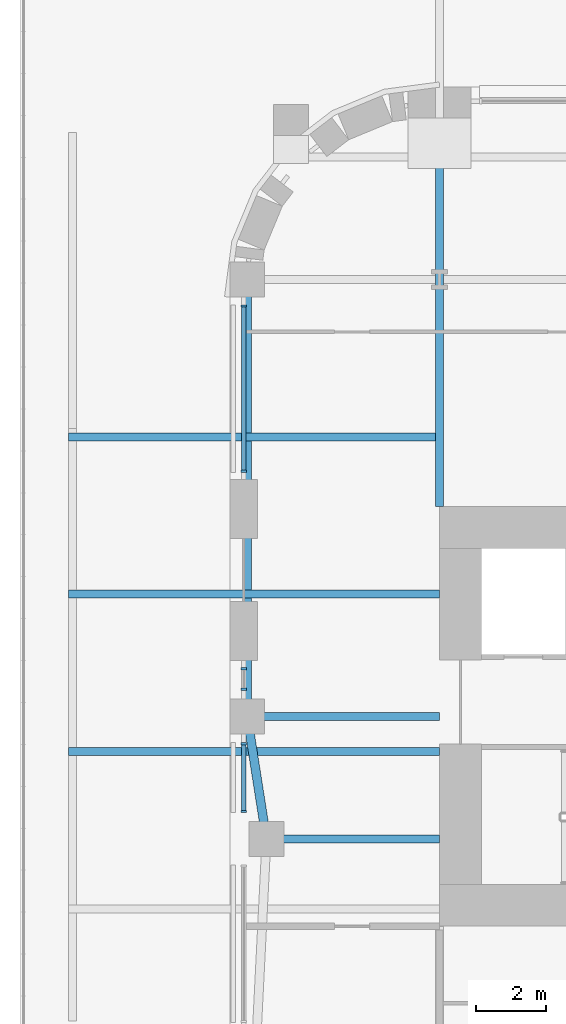
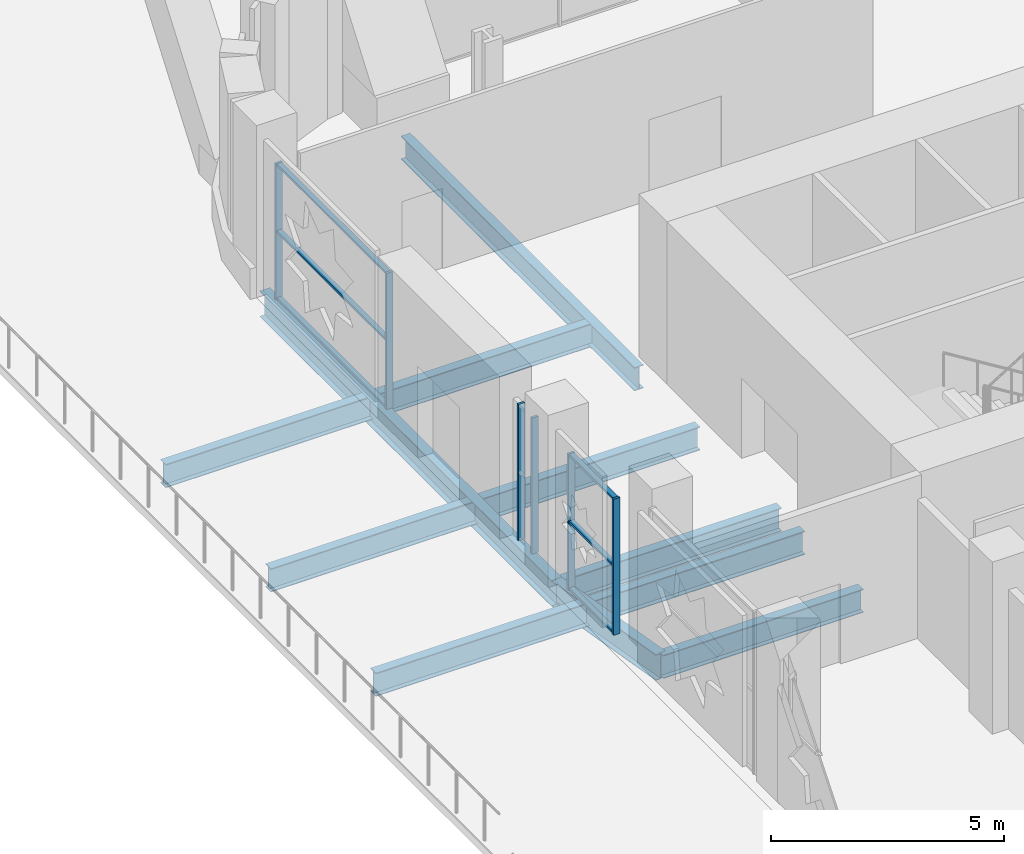
# One storey, part 4 of 26: 12 members, 8 beams, 3 elements without a shape of their own.
"""IFC4 building model written with IfcOpenShell, lengths in metres."""

from ifc_helpers import new_model, si_unit, direction, frame, origin, origin_2d, place, context, subcontext, project, spatial, rectangle, i_section, extrude, material, material_profile, profile_set, type_object, element, aggregate, save


model = new_model("IFC4")

# Units and contexts
model_context = context("Model", 3, precision=1e-05, world=origin(), true_north=direction((0.0, 1.0)))
body_context = subcontext(model_context, "Body", "Model", "MODEL_VIEW")
ifc_project = project(units=[si_unit("LENGTHUNIT", "METRE"), si_unit("AREAUNIT", "SQUARE_METRE"), si_unit("VOLUMEUNIT", "CUBIC_METRE"), si_unit("PLANEANGLEUNIT", "RADIAN"), si_unit("MASSUNIT", "GRAM", prefix="KILO")], contexts=[model_context])

# Site, building, storey
site_placement = place(None, origin())
site = spatial("IfcSite", under=ifc_project, at=site_placement, CompositionType="ELEMENT")
building_placement = place(site_placement, origin())
building = spatial("IfcBuilding", under=site, at=building_placement, Name="Zellij Exchange Tower", CompositionType="ELEMENT")
storey_placement = place(building_placement, frame((0.0, 0.0, 39.0)))
storey = spatial("IfcBuildingStorey", under=building, at=storey_placement, Name="L06", CompositionType="ELEMENT", Elevation=39.0)

# Curtain wall, members
ifc_material_1 = material(Name="Aluminium frame, clear insulating glass", Category="aluminium")
curtain_wall_type = type_object("IfcCurtainWallType", Name="ENV-CW1 Sky-garden glazing", PredefinedType="NOTDEFINED", material=ifc_material_1)
curtain_wall_1_placement = place(storey_placement, origin())
curtain_wall_1 = element("IfcCurtainWall", 1, at=curtain_wall_1_placement, inside=storey, type_object=curtain_wall_type, Name="cw.L06.21a", PredefinedType="NOTDEFINED")
ifc_material_2 = material(Name="Aluminium", Category="aluminium")
ifc_material_profile_1 = material_profile(ifc_material_2, rectangle(XDim=0.06005859375, YDim=0.159912109375, at=origin_2d()), Name="AL 60x160")
ifc_profile_set_1 = profile_set([ifc_material_profile_1], Name="Aluminium")
member_type_1 = type_object("IfcMemberType", Name="ENV-CW1M Mullion 60x160", PredefinedType="MULLION", material=ifc_profile_set_1)
member_1_placement = place(storey_placement, frame((-32.60009765625, 3.743896484375, 0.0), z_axis=(0.0, 0.0, 1.0), x_axis=(0.0, -1.0, 0.0)))
member_1 = element("IfcMember", 2, at=member_1_placement, type_object=member_type_1, Name="CW1 mullion 1", PredefinedType="MULLION", context=body_context, shape_type="SweptSolid", body=[
    extrude(rectangle(XDim=0.06005859375, YDim=0.159912109375, at=origin_2d()), origin(), (0.0, 0.0, 1.0), 3.561767578125),
])
member_2_placement = place(storey_placement, frame((-32.60009765625, -0.985595703125, 0.0), z_axis=(0.0, 0.0, 1.0), x_axis=(0.0, -1.0, 0.0)))
member_2 = element("IfcMember", 3, at=member_2_placement, type_object=member_type_1, Name="CW1 mullion 2", PredefinedType="MULLION", context=body_context, shape_type="SweptSolid", body=[
    extrude(rectangle(XDim=0.06005859375, YDim=0.159912109375, at=origin_2d()), origin(), (0.0, 0.0, 1.0), 3.561767578125),
])

curtain_wall_2_placement = place(storey_placement, origin())
curtain_wall_2 = element("IfcCurtainWall", 4, at=curtain_wall_2_placement, inside=storey, type_object=curtain_wall_type, Name="cw.L06.21c", PredefinedType="NOTDEFINED")
member_3_placement = place(storey_placement, frame((-32.60009765625, -6.63525390625, 0.0), z_axis=(0.0, 0.0, 1.0), x_axis=(0.0, -1.0, 0.0)))
member_3 = element("IfcMember", 5, at=member_3_placement, type_object=member_type_1, Name="CW1 mullion 1", PredefinedType="MULLION", context=body_context, shape_type="SweptSolid", body=[
    extrude(rectangle(XDim=0.06005859375, YDim=0.159912109375, at=origin_2d()), origin(), (0.0, 0.0, 1.0), 3.561767578125),
])
member_4_placement = place(storey_placement, frame((-32.60009765625, -7.219970703125, 0.0), z_axis=(0.0, 0.0, 1.0), x_axis=(0.0, -1.0, 0.0)))
member_4 = element("IfcMember", 6, at=member_4_placement, type_object=member_type_1, Name="CW1 mullion 2", PredefinedType="MULLION", context=body_context, shape_type="SweptSolid", body=[
    extrude(rectangle(XDim=0.06005859375, YDim=0.159912109375, at=origin_2d()), origin(), (0.0, 0.0, 1.0), 3.561767578125),
])
aggregate(curtain_wall_2, [member_3, member_4])

curtain_wall_3_placement = place(storey_placement, origin())
curtain_wall_3 = element("IfcCurtainWall", 7, at=curtain_wall_3_placement, inside=storey, type_object=curtain_wall_type, Name="cw.L06.21d", PredefinedType="NOTDEFINED")
member_5_placement = place(storey_placement, frame((-32.60009765625, -8.780029296875, 0.0), z_axis=(0.0, 0.0, 1.0), x_axis=(0.0, -1.0, 0.0)))
member_5 = element("IfcMember", 8, at=member_5_placement, type_object=member_type_1, Name="CW1 mullion 1", PredefinedType="MULLION", context=body_context, shape_type="SweptSolid", body=[
    extrude(rectangle(XDim=0.06005859375, YDim=0.159912109375, at=origin_2d()), origin(), (0.0, 0.0, 1.0), 3.561767578125),
])
member_6_placement = place(storey_placement, frame((-32.60009765625, -10.719970703125, 0.0), z_axis=(0.0, 0.0, 1.0), x_axis=(0.0, -1.0, 0.0)))
member_6 = element("IfcMember", 9, at=member_6_placement, type_object=member_type_1, Name="CW1 mullion 2", PredefinedType="MULLION", context=body_context, shape_type="SweptSolid", body=[
    extrude(rectangle(XDim=0.06005859375, YDim=0.159912109375, at=origin_2d()), origin(), (0.0, 0.0, 1.0), 3.561767578125),
])

# Member
ifc_material_profile_2 = material_profile(ifc_material_2, rectangle(XDim=0.1201171875, YDim=0.06005859375, at=origin_2d()), Name="AL 120x60")
ifc_profile_set_2 = profile_set([ifc_material_profile_2], Name="Aluminium")
member_type_2 = type_object("IfcMemberType", Name="ENV-CW1T Transom 120x60", PredefinedType="USERDEFINED", material=ifc_profile_set_2)
member_7_placement = place(storey_placement, frame((-32.60009765625, 3.7138671875, 0.030029296875), z_axis=(0.0, -1.0, 0.0), x_axis=(1.0, 0.0, 0.0)))
member_7 = element("IfcMember", 10, at=member_7_placement, type_object=member_type_2, Name="CW1 transom 1.1", ObjectType="TRANSOM", PredefinedType="USERDEFINED", context=body_context, shape_type="SweptSolid", body=[
    extrude(rectangle(XDim=0.1201171875, YDim=0.06005859375, at=origin_2d()), origin(), (0.0, 0.0, 1.0), 4.669677734375),
])

member_8_placement = place(storey_placement, frame((-32.60009765625, 3.7138671875, 1.781005859375), z_axis=(0.0, -1.0, 0.0), x_axis=(1.0, 0.0, 0.0)))
member_8 = element("IfcMember", 11, at=member_8_placement, type_object=member_type_2, Name="CW1 transom 1.2", ObjectType="TRANSOM", PredefinedType="USERDEFINED", context=body_context, shape_type="SweptSolid", body=[
    extrude(rectangle(XDim=0.1201171875, YDim=0.06005859375, at=origin_2d()), origin(), (0.0, 0.0, 1.0), 4.669677734375),
])

member_9_placement = place(storey_placement, frame((-32.60009765625, 3.7138671875, 3.53173828125), z_axis=(0.0, -1.0, 0.0), x_axis=(1.0, 0.0, 0.0)))
member_9 = element("IfcMember", 12, at=member_9_placement, type_object=member_type_2, Name="CW1 transom 1.3", ObjectType="TRANSOM", PredefinedType="USERDEFINED", context=body_context, shape_type="SweptSolid", body=[
    extrude(rectangle(XDim=0.1201171875, YDim=0.06005859375, at=origin_2d()), origin(), (0.0, 0.0, 1.0), 4.669677734375),
])

aggregate(curtain_wall_1, [member_1, member_2, member_7, member_8, member_9])

member_10_placement = place(storey_placement, frame((-32.60009765625, -8.81005859375, 0.030029296875), z_axis=(0.0, -1.0, 0.0), x_axis=(1.0, 0.0, 0.0)))
member_10 = element("IfcMember", 13, at=member_10_placement, type_object=member_type_2, Name="CW1 transom 1.1", ObjectType="TRANSOM", PredefinedType="USERDEFINED", context=body_context, shape_type="SweptSolid", body=[
    extrude(rectangle(XDim=0.1201171875, YDim=0.06005859375, at=origin_2d()), origin(), (0.0, 0.0, 1.0), 1.8798828125),
])

member_11_placement = place(storey_placement, frame((-32.60009765625, -8.81005859375, 1.781005859375), z_axis=(0.0, -1.0, 0.0), x_axis=(1.0, 0.0, 0.0)))
member_11 = element("IfcMember", 14, at=member_11_placement, type_object=member_type_2, Name="CW1 transom 1.2", ObjectType="TRANSOM", PredefinedType="USERDEFINED", context=body_context, shape_type="SweptSolid", body=[
    extrude(rectangle(XDim=0.1201171875, YDim=0.06005859375, at=origin_2d()), origin(), (0.0, 0.0, 1.0), 1.8798828125),
])

member_12_placement = place(storey_placement, frame((-32.60009765625, -8.81005859375, 3.53173828125), z_axis=(0.0, -1.0, 0.0), x_axis=(1.0, 0.0, 0.0)))
member_12 = element("IfcMember", 15, at=member_12_placement, type_object=member_type_2, Name="CW1 transom 1.3", ObjectType="TRANSOM", PredefinedType="USERDEFINED", context=body_context, shape_type="SweptSolid", body=[
    extrude(rectangle(XDim=0.1201171875, YDim=0.06005859375, at=origin_2d()), origin(), (0.0, 0.0, 1.0), 1.8798828125),
])

aggregate(curtain_wall_3, [member_5, member_6, member_10, member_11, member_12])

# Beams
ifc_material_3 = material(Name="Structural steel ASTM A992 Gr 50", Category="steel")
ifc_material_profile_3 = material_profile(ifc_material_3, i_section(OverallWidth=0.22900390625, OverallDepth=0.612060546875, WebThickness=0.011962890625, FlangeThickness=0.01953125, at=origin_2d()), Name="W24x84")
ifc_profile_set_3 = profile_set([ifc_material_profile_3], Name="Structural steel ASTM A992 Gr 50")
beam_type_1 = type_object("IfcBeamType", Name="STR-BEAM W24x84", PredefinedType="BEAM", material=ifc_profile_set_3)
for number, where, z_axis, x_axis, name in (
    (16, (-37.614501953125, -9.0, -0.55615234375), (1.0, 0.0, 0.0), (0.0, 1.0, 0.0), "B6"),
    (17, (-37.614501953125, -4.5, -0.55615234375), (1.0, 0.0, 0.0), (0.0, 1.0, 0.0), "B6"),
    (18, (-37.614501953125, 0.0, -0.55615234375), (1.0, 0.0, 0.0), (0.0, 1.0, 0.0), "B6"),
):
    element("IfcBeam", number, at=place(storey_placement, frame(where, z_axis=z_axis, x_axis=x_axis)), inside=storey, type_object=beam_type_1, Name=name, PredefinedType="BEAM", context=body_context, shape_type="SweptSolid", body=[
        extrude(i_section(OverallWidth=0.22900390625, OverallDepth=0.612060546875, WebThickness=0.011962890625, FlangeThickness=0.01953125, at=origin_2d()), origin(), (0.0, 0.0, 1.0), 10.614501953125),
    ])
ifc_material_profile_4 = material_profile(ifc_material_3, i_section(OverallWidth=0.25390625, OverallDepth=0.67822265625, WebThickness=0.01171875, FlangeThickness=0.016357421875, at=origin_2d()), Name="W27x84")
ifc_profile_set_4 = profile_set([ifc_material_profile_4], Name="Structural steel ASTM A992 Gr 50")
beam_type_2 = type_object("IfcBeamType", Name="STR-EDGE GIRDER W27x84", PredefinedType="BEAM", material=ifc_profile_set_4)
beam_1_placement = place(storey_placement, frame((-31.949951171875, -11.5, -0.589111328125), z_axis=(-0.155251283593, 0.987875011802, 0.0), x_axis=(-0.987875011802, -0.155251283593, 0.0)))
element("IfcBeam", 19, at=beam_1_placement, inside=storey, type_object=beam_type_2, Name="EB7", PredefinedType="BEAM", context=body_context, shape_type="SweptSolid", body=[
    extrude(i_section(OverallWidth=0.25390625, OverallDepth=0.67822265625, WebThickness=0.01171875, FlangeThickness=0.016357421875, at=origin_2d()), origin(), (0.0, 0.0, 1.0), 3.54296875),
])
beam_2_placement = place(storey_placement, frame((-32.5, -8.0, -0.589111328125), z_axis=(0.0, 1.0, 0.0), x_axis=(-1.0, 0.0, 0.0)))
element("IfcBeam", 20, at=beam_2_placement, inside=storey, type_object=beam_type_2, Name="EB7", PredefinedType="BEAM", context=body_context, shape_type="SweptSolid", body=[
    extrude(i_section(OverallWidth=0.25390625, OverallDepth=0.67822265625, WebThickness=0.01171875, FlangeThickness=0.016357421875, at=origin_2d()), origin(), (0.0, 0.0, 1.0), 12.5),
])
ifc_material_profile_5 = material_profile(ifc_material_3, i_section(OverallWidth=0.22900390625, OverallDepth=0.612060546875, WebThickness=0.011962890625, FlangeThickness=0.01953125, at=origin_2d()), Name="W24x84")
ifc_profile_set_5 = profile_set([ifc_material_profile_5], Name="Structural steel ASTM A992 Gr 50")
beam_type_3 = type_object("IfcBeamType", Name="STR-GIRDER W24x84", PredefinedType="BEAM", material=ifc_profile_set_5)
beam_3_placement = place(storey_placement, frame((-31.949951171875, -11.5, -0.55615234375), z_axis=(1.0, 0.0, 0.0), x_axis=(0.0, 1.0, 0.0)))
element("IfcBeam", 21, at=beam_3_placement, inside=storey, type_object=beam_type_3, Name="G4", PredefinedType="BEAM", context=body_context, shape_type="SweptSolid", body=[
    extrude(i_section(OverallWidth=0.22900390625, OverallDepth=0.612060546875, WebThickness=0.011962890625, FlangeThickness=0.01953125, at=origin_2d()), origin(), (0.0, 0.0, 1.0), 4.949951171875),
])
beam_4_placement = place(storey_placement, frame((-32.5, -8.0, -0.55615234375), z_axis=(1.0, 0.0, 0.0), x_axis=(0.0, 1.0, 0.0)))
element("IfcBeam", 22, at=beam_4_placement, inside=storey, type_object=beam_type_3, Name="G4", PredefinedType="BEAM", context=body_context, shape_type="SweptSolid", body=[
    extrude(i_section(OverallWidth=0.22900390625, OverallDepth=0.612060546875, WebThickness=0.011962890625, FlangeThickness=0.01953125, at=origin_2d()), origin(), (0.0, 0.0, 1.0), 5.5),
])
beam_5_placement = place(storey_placement, frame((-27.0, -2.0, -0.55615234375), z_axis=(0.0, 1.0, 0.0), x_axis=(-1.0, 0.0, 0.0)))
element("IfcBeam", 23, at=beam_5_placement, inside=storey, type_object=beam_type_3, Name="G4", PredefinedType="BEAM", context=body_context, shape_type="SweptSolid", body=[
    extrude(i_section(OverallWidth=0.22900390625, OverallDepth=0.612060546875, WebThickness=0.011962890625, FlangeThickness=0.01953125, at=origin_2d()), origin(), (0.0, 0.0, 1.0), 10.0),
])

save(model, "model.ifc")
